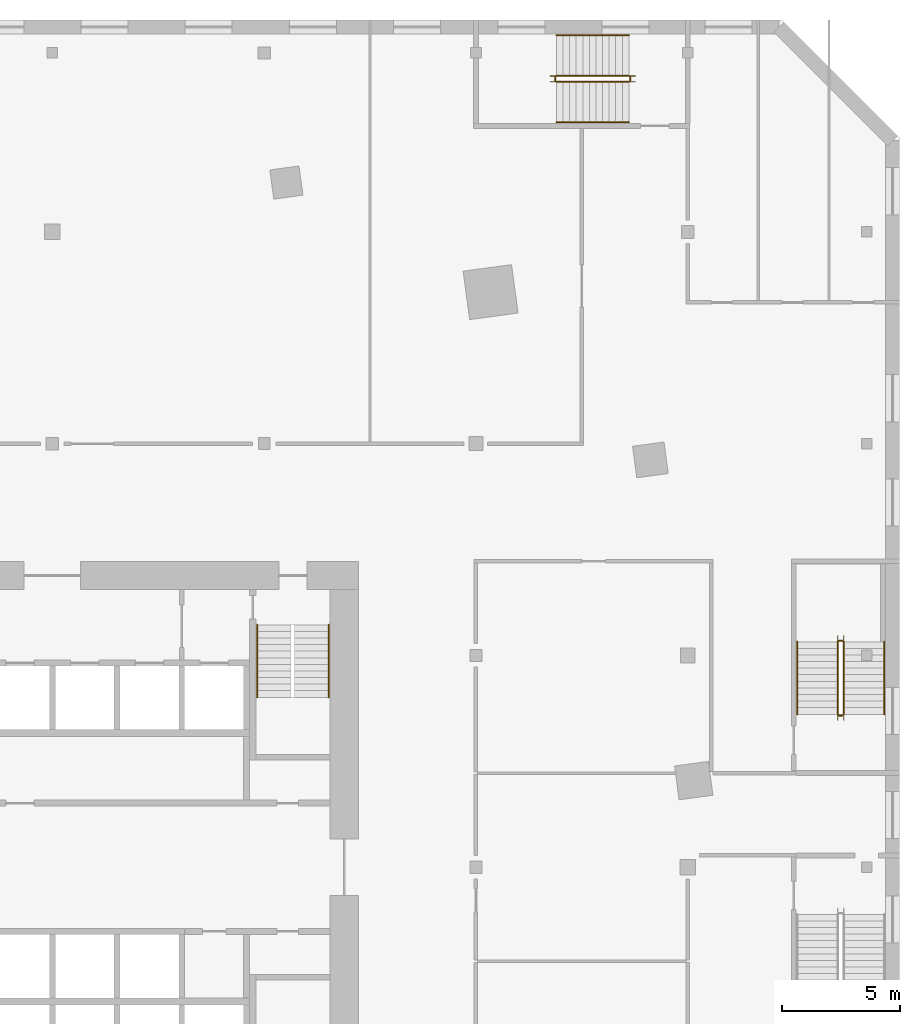
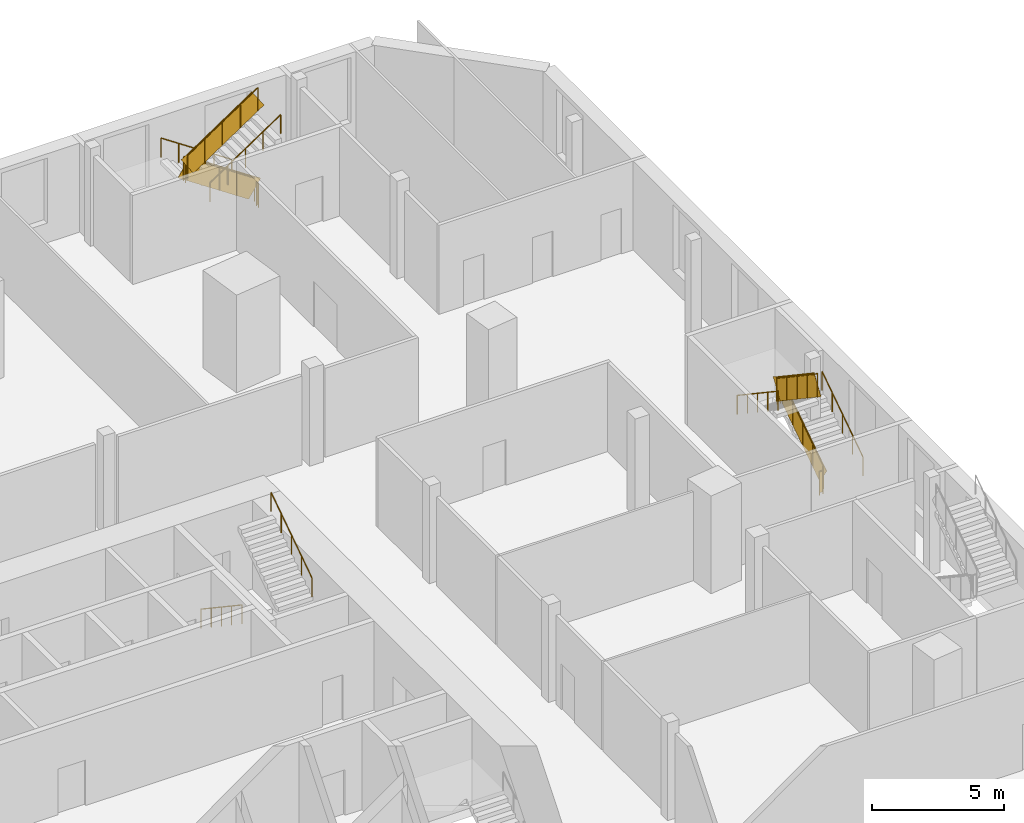
# One storey, part 18 of 18: 14 railings.
"""IFC4 building model written with IfcOpenShell, lengths in metres."""

from ifc_helpers import new_model, si_unit, direction, frame, origin, origin_2d, place, context, subcontext, project, spatial, rectangle, circle, extrude, material, type_object, element, save


model = new_model("IFC4")

# Units and contexts
model_context = context("Model", 3, precision=1e-05, world=origin(), true_north=direction((0.0, 1.0)))
body_context = subcontext(model_context, "Body", "Model", "MODEL_VIEW")
ifc_project = project(units=[si_unit("LENGTHUNIT", "METRE"), si_unit("AREAUNIT", "SQUARE_METRE"), si_unit("VOLUMEUNIT", "CUBIC_METRE"), si_unit("PLANEANGLEUNIT", "RADIAN"), si_unit("MASSUNIT", "GRAM", prefix="KILO")], contexts=[model_context])

# Site, building, storey
site_placement = place(None, origin())
site = spatial("IfcSite", under=ifc_project, at=site_placement, CompositionType="ELEMENT")
building_placement = place(site_placement, origin())
building = spatial("IfcBuilding", under=site, at=building_placement, Name="Dilmun Exchange Tower", CompositionType="ELEMENT")
storey_placement = place(building_placement, frame((0.0, 0.0, 13.5)))
storey = spatial("IfcBuildingStorey", under=building, at=storey_placement, Name="L03", CompositionType="ELEMENT", Elevation=13.5)

# Railings
ifc_material_1 = material(Name="Guard 1100")
railing_type_1 = type_object("IfcRailingType", Name="Guard 1100", PredefinedType="GUARDRAIL", material=ifc_material_1)
railing_1_placement = place(storey_placement, frame((24.5, 33.6240234375, 0.1875)))
element("IfcRailing", 1, at=railing_1_placement, inside=storey, type_object=railing_type_1, Name="L03 PS2 stair guard 1", PredefinedType="GUARDRAIL", context=body_context, shape_type="SweptSolid", body=[
    extrude(circle(Radius=0.02392578125, at=origin_2d()), frame((0.0, 0.0, 1.076171875), z_axis=(-0.830913701846, 0.0, 0.55640131208), x_axis=(0.0, -1.0, 0.0)), (0.0, 0.0, 1.0), 3.706787109375),
    extrude(rectangle(XDim=0.011962890625, YDim=0.951904296875, at=origin_2d()), frame((0.0, 0.0, 0.576171875), z_axis=(-0.830913701846, 0.0, 0.55640131208), x_axis=(0.0, -1.0, 0.0)), (0.0, 0.0, 1.0), 3.706787109375),
    extrude(circle(Radius=0.02099609375, at=origin_2d()), origin(), (0.0, 0.0, 1.0), 1.052001953125),
    extrude(circle(Radius=0.02099609375, at=origin_2d()), frame((-0.77001953125, 0.0, 0.515625)), (0.0, 0.0, 1.0), 1.052001953125),
    extrude(circle(Radius=0.02099609375, at=origin_2d()), frame((-1.5400390625, 0.0, 1.03125)), (0.0, 0.0, 1.0), 1.052001953125),
    extrude(circle(Radius=0.02099609375, at=origin_2d()), frame((-2.31005859375, 0.0, 1.546875)), (0.0, 0.0, 1.0), 1.052001953125),
    extrude(circle(Radius=0.02099609375, at=origin_2d()), frame((-3.080078125, 0.0, 2.0625)), (0.0, 0.0, 1.0), 1.052001953125),
])
railing_2_placement = place(storey_placement, frame((21.3701171875, 33.573974609375, 2.25)))
element("IfcRailing", 2, at=railing_2_placement, inside=storey, type_object=railing_type_1, Name="L03 PS2 stair guard 2", PredefinedType="GUARDRAIL", context=body_context, shape_type="SweptSolid", body=[
    extrude(circle(Radius=0.02392578125, at=origin_2d()), frame((0.0, 0.0, 1.076171875), z_axis=(0.0, -1.0, 0.0), x_axis=(1.0, 0.0, 0.0)), (0.0, 0.0, 1.0), 0.14990234375),
    extrude(rectangle(XDim=0.011962890625, YDim=0.951904296875, at=origin_2d()), frame((0.0, 0.0, 0.576171875), z_axis=(0.0, -1.0, 0.0), x_axis=(1.0, 0.0, 0.0)), (0.0, 0.0, 1.0), 0.14990234375),
    extrude(circle(Radius=0.02099609375, at=origin_2d()), origin(), (0.0, 0.0, 1.0), 1.052001953125),
    extrude(circle(Radius=0.02099609375, at=origin_2d()), frame((0.0, -0.14990234375, 0.0)), (0.0, 0.0, 1.0), 1.052001953125),
])
railing_3_placement = place(storey_placement, frame((21.419921875, 33.3740234375, 2.4375)))
element("IfcRailing", 3, at=railing_3_placement, inside=storey, type_object=railing_type_1, Name="L03 PS2 stair guard 3", PredefinedType="GUARDRAIL", context=body_context, shape_type="SweptSolid", body=[
    extrude(circle(Radius=0.02392578125, at=origin_2d()), frame((0.0, 0.0, 1.076171875), z_axis=(0.830913701846, 0.0, 0.55640131208), x_axis=(0.0, 1.0, 0.0)), (0.0, 0.0, 1.0), 3.706787109375),
    extrude(rectangle(XDim=0.011962890625, YDim=0.951904296875, at=origin_2d()), frame((0.0, 0.0, 0.576171875), z_axis=(0.830913701846, 0.0, 0.55640131208), x_axis=(0.0, 1.0, 0.0)), (0.0, 0.0, 1.0), 3.706787109375),
    extrude(circle(Radius=0.02099609375, at=origin_2d()), origin(), (0.0, 0.0, 1.0), 1.052001953125),
    extrude(circle(Radius=0.02099609375, at=origin_2d()), frame((0.77001953125, 0.0, 0.515625)), (0.0, 0.0, 1.0), 1.052001953125),
    extrude(circle(Radius=0.02099609375, at=origin_2d()), frame((1.5400390625, 0.0, 1.03125)), (0.0, 0.0, 1.0), 1.052001953125),
    extrude(circle(Radius=0.02099609375, at=origin_2d()), frame((2.31005859375, 0.0, 1.546875)), (0.0, 0.0, 1.0), 1.052001953125),
    extrude(circle(Radius=0.02099609375, at=origin_2d()), frame((3.080078125, 0.0, 2.0625)), (0.0, 0.0, 1.0), 1.052001953125),
])
railing_4_placement = place(storey_placement, frame((24.550048828125, 33.573974609375, 0.0)))
element("IfcRailing", 4, at=railing_4_placement, inside=storey, type_object=railing_type_1, Name="L03 PS2 stair guard 4", PredefinedType="GUARDRAIL", context=body_context, shape_type="SweptSolid", body=[
    extrude(circle(Radius=0.02392578125, at=origin_2d()), frame((0.0, 0.0, 1.076171875), z_axis=(0.0, -1.0, 0.0), x_axis=(1.0, 0.0, 0.0)), (0.0, 0.0, 1.0), 0.14990234375),
    extrude(rectangle(XDim=0.011962890625, YDim=0.951904296875, at=origin_2d()), frame((0.0, 0.0, 0.576171875), z_axis=(0.0, -1.0, 0.0), x_axis=(1.0, 0.0, 0.0)), (0.0, 0.0, 1.0), 0.14990234375),
    extrude(circle(Radius=0.02099609375, at=origin_2d()), origin(), (0.0, 0.0, 1.0), 1.052001953125),
    extrude(circle(Radius=0.02099609375, at=origin_2d()), frame((0.0, -0.14990234375, 0.0)), (0.0, 0.0, 1.0), 1.052001953125),
])
railing_5_placement = place(storey_placement, frame((33.6240234375, 6.5, 0.1875)))
element("IfcRailing", 5, at=railing_5_placement, inside=storey, type_object=railing_type_1, Name="L03 PS4 stair guard 1", PredefinedType="GUARDRAIL", context=body_context, shape_type="SweptSolid", body=[
    extrude(circle(Radius=0.02392578125, at=origin_2d()), frame((0.0, 0.0, 1.076171875), z_axis=(0.0, 0.830913701846, 0.55640131208), x_axis=(-1.0, 0.0, 0.0)), (0.0, 0.0, 1.0), 3.706787109375),
    extrude(rectangle(XDim=0.011962890625, YDim=0.951904296875, at=origin_2d()), frame((0.0, 0.0, 0.576171875), z_axis=(0.0, 0.830913701846, 0.55640131208), x_axis=(-1.0, 0.0, 0.0)), (0.0, 0.0, 1.0), 3.706787109375),
    extrude(circle(Radius=0.02099609375, at=origin_2d()), origin(), (0.0, 0.0, 1.0), 1.052001953125),
    extrude(circle(Radius=0.02099609375, at=origin_2d()), frame((0.0, 0.77001953125, 0.515625)), (0.0, 0.0, 1.0), 1.052001953125),
    extrude(circle(Radius=0.02099609375, at=origin_2d()), frame((0.0, 1.5400390625, 1.03125)), (0.0, 0.0, 1.0), 1.052001953125),
    extrude(circle(Radius=0.02099609375, at=origin_2d()), frame((0.0, 2.31005859375, 1.546875)), (0.0, 0.0, 1.0), 1.052001953125),
    extrude(circle(Radius=0.02099609375, at=origin_2d()), frame((0.0, 3.080078125, 2.0625)), (0.0, 0.0, 1.0), 1.052001953125),
])
railing_6_placement = place(storey_placement, frame((33.573974609375, 9.6298828125, 2.25)))
element("IfcRailing", 6, at=railing_6_placement, inside=storey, type_object=railing_type_1, Name="L03 PS4 stair guard 2", PredefinedType="GUARDRAIL", context=body_context, shape_type="SweptSolid", body=[
    extrude(circle(Radius=0.02392578125, at=origin_2d()), frame((0.0, 0.0, 1.076171875), z_axis=(-1.0, 0.0, 0.0), x_axis=(0.0, -1.0, 0.0)), (0.0, 0.0, 1.0), 0.14990234375),
    extrude(rectangle(XDim=0.011962890625, YDim=0.951904296875, at=origin_2d()), frame((0.0, 0.0, 0.576171875), z_axis=(-1.0, 0.0, 0.0), x_axis=(0.0, -1.0, 0.0)), (0.0, 0.0, 1.0), 0.14990234375),
    extrude(circle(Radius=0.02099609375, at=origin_2d()), origin(), (0.0, 0.0, 1.0), 1.052001953125),
    extrude(circle(Radius=0.02099609375, at=origin_2d()), frame((-0.14990234375, 0.0, 0.0)), (0.0, 0.0, 1.0), 1.052001953125),
])
railing_7_placement = place(storey_placement, frame((33.3740234375, 9.580078125, 2.4375)))
element("IfcRailing", 7, at=railing_7_placement, inside=storey, type_object=railing_type_1, Name="L03 PS4 stair guard 3", PredefinedType="GUARDRAIL", context=body_context, shape_type="SweptSolid", body=[
    extrude(circle(Radius=0.02392578125, at=origin_2d()), frame((0.0, 0.0, 1.076171875), z_axis=(0.0, -0.830913701846, 0.55640131208), x_axis=(1.0, 0.0, 0.0)), (0.0, 0.0, 1.0), 3.706787109375),
    extrude(rectangle(XDim=0.011962890625, YDim=0.951904296875, at=origin_2d()), frame((0.0, 0.0, 0.576171875), z_axis=(0.0, -0.830913701846, 0.55640131208), x_axis=(1.0, 0.0, 0.0)), (0.0, 0.0, 1.0), 3.706787109375),
    extrude(circle(Radius=0.02099609375, at=origin_2d()), origin(), (0.0, 0.0, 1.0), 1.052001953125),
    extrude(circle(Radius=0.02099609375, at=origin_2d()), frame((0.0, -0.77001953125, 0.515625)), (0.0, 0.0, 1.0), 1.052001953125),
    extrude(circle(Radius=0.02099609375, at=origin_2d()), frame((0.0, -1.5400390625, 1.03125)), (0.0, 0.0, 1.0), 1.052001953125),
    extrude(circle(Radius=0.02099609375, at=origin_2d()), frame((0.0, -2.31005859375, 1.546875)), (0.0, 0.0, 1.0), 1.052001953125),
    extrude(circle(Radius=0.02099609375, at=origin_2d()), frame((0.0, -3.080078125, 2.0625)), (0.0, 0.0, 1.0), 1.052001953125),
])
railing_8_placement = place(storey_placement, frame((33.573974609375, 6.449951171875, 0.0)))
element("IfcRailing", 8, at=railing_8_placement, inside=storey, type_object=railing_type_1, Name="L03 PS4 stair guard 4", PredefinedType="GUARDRAIL", context=body_context, shape_type="SweptSolid", body=[
    extrude(circle(Radius=0.02392578125, at=origin_2d()), frame((0.0, 0.0, 1.076171875), z_axis=(-1.0, 0.0, 0.0), x_axis=(0.0, -1.0, 0.0)), (0.0, 0.0, 1.0), 0.14990234375),
    extrude(rectangle(XDim=0.011962890625, YDim=0.951904296875, at=origin_2d()), frame((0.0, 0.0, 0.576171875), z_axis=(-1.0, 0.0, 0.0), x_axis=(0.0, -1.0, 0.0)), (0.0, 0.0, 1.0), 0.14990234375),
    extrude(circle(Radius=0.02099609375, at=origin_2d()), origin(), (0.0, 0.0, 1.0), 1.052001953125),
    extrude(circle(Radius=0.02099609375, at=origin_2d()), frame((-0.14990234375, 0.0, 0.0)), (0.0, 0.0, 1.0), 1.052001953125),
])
ifc_material_2 = material(Name="Handrail 900")
railing_type_2 = type_object("IfcRailingType", Name="Handrail 900", PredefinedType="HANDRAIL", material=ifc_material_2)
railing_9_placement = place(storey_placement, frame((24.5, 35.347900390625, 0.1875)))
element("IfcRailing", 9, at=railing_9_placement, inside=storey, type_object=railing_type_2, Name="L03 PS2 stair handrail 1", PredefinedType="HANDRAIL", context=body_context, shape_type="SweptSolid", body=[
    extrude(circle(Radius=0.02392578125, at=origin_2d()), frame((0.0, 0.0, 0.8759765625), z_axis=(-0.830913701846, 0.0, 0.55640131208), x_axis=(0.0, -1.0, 0.0)), (0.0, 0.0, 1.0), 3.706787109375),
    extrude(circle(Radius=0.02099609375, at=origin_2d()), origin(), (0.0, 0.0, 1.0), 0.851806640625),
    extrude(circle(Radius=0.02099609375, at=origin_2d()), frame((-0.77001953125, 0.0, 0.515625)), (0.0, 0.0, 1.0), 0.851806640625),
    extrude(circle(Radius=0.02099609375, at=origin_2d()), frame((-1.5400390625, 0.0, 1.03125)), (0.0, 0.0, 1.0), 0.851806640625),
    extrude(circle(Radius=0.02099609375, at=origin_2d()), frame((-2.31005859375, 0.0, 1.546875)), (0.0, 0.0, 1.0), 0.851806640625),
    extrude(circle(Radius=0.02099609375, at=origin_2d()), frame((-3.080078125, 0.0, 2.0625)), (0.0, 0.0, 1.0), 0.851806640625),
])
railing_10_placement = place(storey_placement, frame((21.419921875, 31.64990234375, 2.4375)))
element("IfcRailing", 10, at=railing_10_placement, inside=storey, type_object=railing_type_2, Name="L03 PS2 stair handrail 2", PredefinedType="HANDRAIL", context=body_context, shape_type="SweptSolid", body=[
    extrude(circle(Radius=0.02392578125, at=origin_2d()), frame((0.0, 0.0, 0.8759765625), z_axis=(0.830913701846, 0.0, 0.55640131208), x_axis=(0.0, 1.0, 0.0)), (0.0, 0.0, 1.0), 3.706787109375),
    extrude(circle(Radius=0.02099609375, at=origin_2d()), origin(), (0.0, 0.0, 1.0), 0.851806640625),
    extrude(circle(Radius=0.02099609375, at=origin_2d()), frame((0.77001953125, 0.0, 0.515625)), (0.0, 0.0, 1.0), 0.851806640625),
    extrude(circle(Radius=0.02099609375, at=origin_2d()), frame((1.5400390625, 0.0, 1.03125)), (0.0, 0.0, 1.0), 0.851806640625),
    extrude(circle(Radius=0.02099609375, at=origin_2d()), frame((2.31005859375, 0.0, 1.546875)), (0.0, 0.0, 1.0), 0.851806640625),
    extrude(circle(Radius=0.02099609375, at=origin_2d()), frame((3.080078125, 0.0, 2.0625)), (0.0, 0.0, 1.0), 0.851806640625),
])
railing_11_placement = place(storey_placement, frame((35.347900390625, 6.5, 0.1875)))
element("IfcRailing", 11, at=railing_11_placement, inside=storey, type_object=railing_type_2, Name="L03 PS4 stair handrail 1", PredefinedType="HANDRAIL", context=body_context, shape_type="SweptSolid", body=[
    extrude(circle(Radius=0.02392578125, at=origin_2d()), frame((0.0, 0.0, 0.8759765625), z_axis=(0.0, 0.830913701846, 0.55640131208), x_axis=(-1.0, 0.0, 0.0)), (0.0, 0.0, 1.0), 3.706787109375),
    extrude(circle(Radius=0.02099609375, at=origin_2d()), origin(), (0.0, 0.0, 1.0), 0.851806640625),
    extrude(circle(Radius=0.02099609375, at=origin_2d()), frame((0.0, 0.77001953125, 0.515625)), (0.0, 0.0, 1.0), 0.851806640625),
    extrude(circle(Radius=0.02099609375, at=origin_2d()), frame((0.0, 1.5400390625, 1.03125)), (0.0, 0.0, 1.0), 0.851806640625),
    extrude(circle(Radius=0.02099609375, at=origin_2d()), frame((0.0, 2.31005859375, 1.546875)), (0.0, 0.0, 1.0), 0.851806640625),
    extrude(circle(Radius=0.02099609375, at=origin_2d()), frame((0.0, 3.080078125, 2.0625)), (0.0, 0.0, 1.0), 0.851806640625),
])
railing_12_placement = place(storey_placement, frame((31.64990234375, 9.580078125, 2.4375)))
element("IfcRailing", 12, at=railing_12_placement, inside=storey, type_object=railing_type_2, Name="L03 PS4 stair handrail 2", PredefinedType="HANDRAIL", context=body_context, shape_type="SweptSolid", body=[
    extrude(circle(Radius=0.02392578125, at=origin_2d()), frame((0.0, 0.0, 0.8759765625), z_axis=(0.0, -0.830913701846, 0.55640131208), x_axis=(1.0, 0.0, 0.0)), (0.0, 0.0, 1.0), 3.706787109375),
    extrude(circle(Radius=0.02099609375, at=origin_2d()), origin(), (0.0, 0.0, 1.0), 0.851806640625),
    extrude(circle(Radius=0.02099609375, at=origin_2d()), frame((0.0, -0.77001953125, 0.515625)), (0.0, 0.0, 1.0), 0.851806640625),
    extrude(circle(Radius=0.02099609375, at=origin_2d()), frame((0.0, -1.5400390625, 1.03125)), (0.0, 0.0, 1.0), 0.851806640625),
    extrude(circle(Radius=0.02099609375, at=origin_2d()), frame((0.0, -2.31005859375, 1.546875)), (0.0, 0.0, 1.0), 0.851806640625),
    extrude(circle(Radius=0.02099609375, at=origin_2d()), frame((0.0, -3.080078125, 2.0625)), (0.0, 0.0, 1.0), 0.851806640625),
])
ifc_material_3 = material(Name="Stainless steel", Category="steel")
railing_type_3 = type_object("IfcRailingType", Name="Stair handrail 900", PredefinedType="HANDRAIL", material=ifc_material_3)
railing_13_placement = place(storey_placement, frame((8.699951171875, 10.300048828125, 0.1875)))
element("IfcRailing", 13, at=railing_13_placement, inside=storey, type_object=railing_type_3, Name="L03 ST1 stair handrail 1", PredefinedType="HANDRAIL", context=body_context, shape_type="SweptSolid", body=[
    extrude(circle(Radius=0.02392578125, at=origin_2d()), frame((0.0, 0.0, 0.8759765625), z_axis=(0.0, -0.830913701846, 0.55640131208), x_axis=(1.0, 0.0, 0.0)), (0.0, 0.0, 1.0), 3.706787109375),
    extrude(circle(Radius=0.02099609375, at=origin_2d()), origin(), (0.0, 0.0, 1.0), 0.851806640625),
    extrude(circle(Radius=0.02099609375, at=origin_2d()), frame((0.0, -0.77001953125, 0.515625)), (0.0, 0.0, 1.0), 0.851806640625),
    extrude(circle(Radius=0.02099609375, at=origin_2d()), frame((0.0, -1.5400390625, 1.03125)), (0.0, 0.0, 1.0), 0.851806640625),
    extrude(circle(Radius=0.02099609375, at=origin_2d()), frame((0.0, -2.31005859375, 1.546875)), (0.0, 0.0, 1.0), 0.851806640625),
    extrude(circle(Radius=0.02099609375, at=origin_2d()), frame((0.0, -3.080078125, 2.0625)), (0.0, 0.0, 1.0), 0.851806640625),
])
railing_14_placement = place(storey_placement, frame((11.75, 7.219970703125, 2.4375)))
element("IfcRailing", 14, at=railing_14_placement, inside=storey, type_object=railing_type_3, Name="L03 ST1 stair handrail 2", PredefinedType="HANDRAIL", context=body_context, shape_type="SweptSolid", body=[
    extrude(circle(Radius=0.02392578125, at=origin_2d()), frame((0.0, 0.0, 0.8759765625), z_axis=(0.0, 0.830913701846, 0.55640131208), x_axis=(-1.0, 0.0, 0.0)), (0.0, 0.0, 1.0), 3.706787109375),
    extrude(circle(Radius=0.02099609375, at=origin_2d()), origin(), (0.0, 0.0, 1.0), 0.851806640625),
    extrude(circle(Radius=0.02099609375, at=origin_2d()), frame((0.0, 0.77001953125, 0.515625)), (0.0, 0.0, 1.0), 0.851806640625),
    extrude(circle(Radius=0.02099609375, at=origin_2d()), frame((0.0, 1.5400390625, 1.03125)), (0.0, 0.0, 1.0), 0.851806640625),
    extrude(circle(Radius=0.02099609375, at=origin_2d()), frame((0.0, 2.31005859375, 1.546875)), (0.0, 0.0, 1.0), 0.851806640625),
    extrude(circle(Radius=0.02099609375, at=origin_2d()), frame((0.0, 3.080078125, 2.0625)), (0.0, 0.0, 1.0), 0.851806640625),
])

save(model, "model.ifc")
